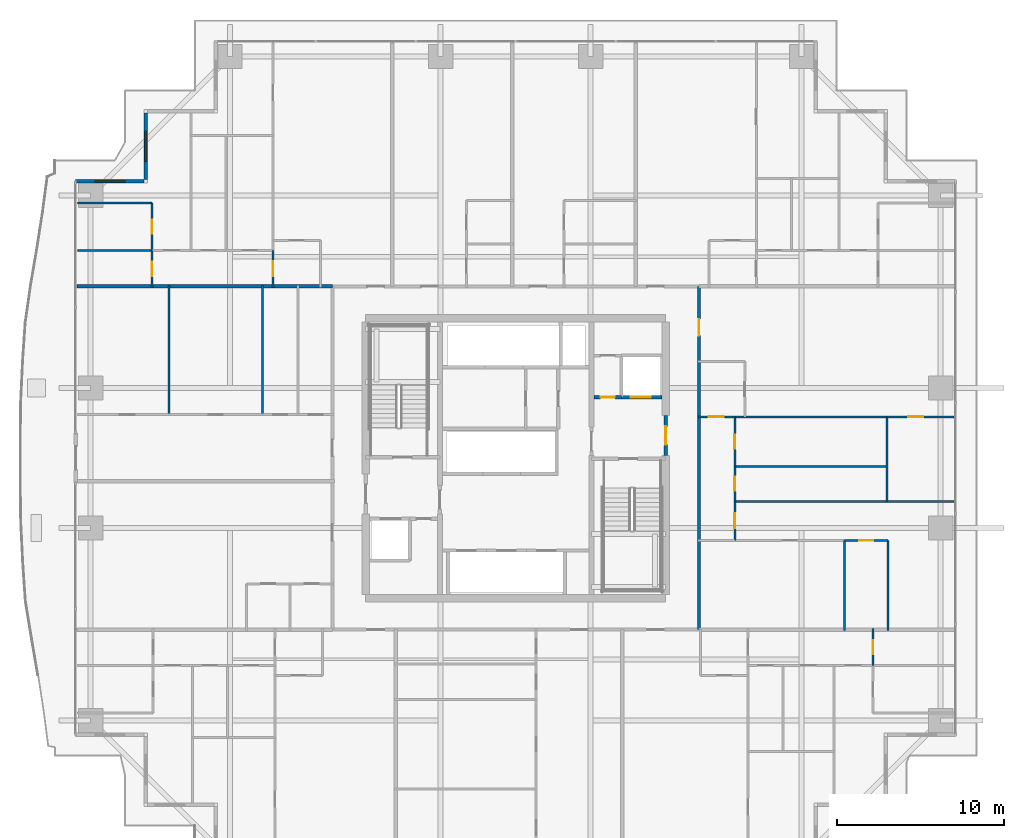
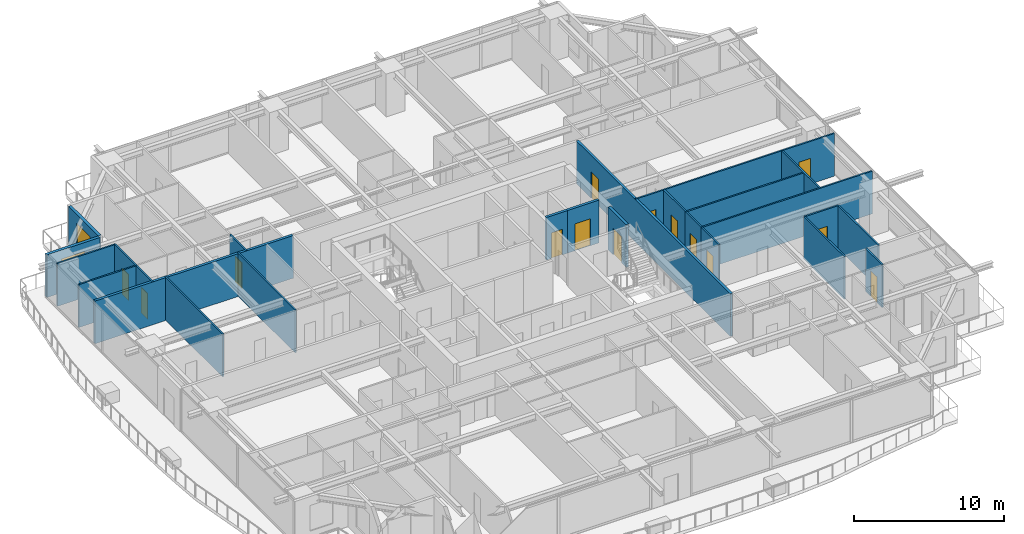
# One storey, part 30 of 41: 27 walls, 14 doors, 2 windows, 16 openings.
"""IFC4 building model written with IfcOpenShell, lengths in metres."""

from ifc_helpers import new_model, si_unit, direction, frame, frame_2d, origin, place, context, subcontext, project, spatial, rectangle, extrude, source, transform, mapped, material, layer, layer_set, type_object, element, fill, save


model = new_model("IFC4")

# Units and contexts
model_context = context("Model", 3, precision=1e-05, world=origin(), true_north=direction((0.0, 1.0)))
body_context = subcontext(model_context, "Body", "Model", "MODEL_VIEW")
ifc_project = project(units=[si_unit("LENGTHUNIT", "METRE"), si_unit("AREAUNIT", "SQUARE_METRE"), si_unit("VOLUMEUNIT", "CUBIC_METRE"), si_unit("PLANEANGLEUNIT", "RADIAN"), si_unit("MASSUNIT", "GRAM", prefix="KILO")], contexts=[model_context])

# Site, building, storey
site_placement = place(None, origin())
site = spatial("IfcSite", under=ifc_project, at=site_placement, CompositionType="ELEMENT")
building_placement = place(site_placement, origin())
building = spatial("IfcBuilding", under=site, at=building_placement, Name="Serunith Strait Residences", CompositionType="ELEMENT")
storey_placement = place(building_placement, frame((0.0, 0.0, 45.449951171875)))
storey = spatial("IfcBuildingStorey", under=building, at=storey_placement, Name="L10", CompositionType="ELEMENT", Elevation=45.449951171875)

# Wall, opening, window
ifc_material_1 = material(Name="Pale-Champagne Aluminium Insulated Panel", Category="aluminium")
ifc_layer_1 = layer(ifc_material_1, 0.219970703125, Name="Pale-Champagne Aluminium Insulated Panel")
ifc_layer_set_1 = layer_set([ifc_layer_1], Name="Pale-Champagne Aluminium Insulated Panel")
wall_type_1 = type_object("IfcWallType", Name="EW-ALUM-220", PredefinedType="ELEMENTEDWALL", material=ifc_layer_set_1)
wall_1_placement = place(storey_placement, frame((10.199951171875, 45.889892578125, 0.0), z_axis=(0.0, 0.0, 1.0), x_axis=(0.0, -1.0, 0.0)))
wall_1 = element("IfcWall", 1, at=wall_1_placement, inside=storey, type_object=wall_type_1, Name="L10 Girih Serrated Corner Wall 14", PredefinedType="ELEMENTEDWALL", context=body_context, shape_type="SweptSolid", body=[
    extrude(rectangle(XDim=3.97998046875, YDim=0.219970703125, at=frame_2d((1.989990234375, 0.0))), origin(), (0.0, 0.0, 1.0), 3.47509765625),
])
opening_1_placement = place(wall_1_placement, frame((1.090087890625, 0.0, 0.64990234375)))
opening_1 = element("IfcOpeningElement", 2, at=opening_1_placement, cuts=wall_1, Name="Opening W-01", PredefinedType="OPENING", context=body_context, shape_type="SweptSolid", body=[
    extrude(rectangle(XDim=1.800048828125, YDim=2.10009765625, at=frame_2d((0.89990234375, 1.050048828125))), frame((0.0, 0.1201171875, 0.0), z_axis=(0.0, -1.0, 0.0), x_axis=(1.0, 0.0, 0.0)), (0.0, 0.0, 1.0), 0.239990234375),
])
ifc_material_2 = material(Name="Ceramic-Fritted Operable Aluminium Window Glass", Category="aluminium")
window_type = type_object("IfcWindowType", Name="WIN-C1", PartitioningType="DOUBLE_PANEL_VERTICAL", PredefinedType="WINDOW", material=ifc_material_2)
shared_shape_1 = source(origin(), body_context, "Body", "SweptSolid", [
    extrude(rectangle(XDim=1.800048828125, YDim=2.10009765625, at=frame_2d((0.89990234375, 1.050048828125))), frame((0.0, 0.030029296875, 0.0), z_axis=(0.0, -1.0, 0.0), x_axis=(1.0, 0.0, 0.0)), (0.0, 0.0, 1.0), 0.06005859375),
])
window_1_placement = place(opening_1_placement, origin())
window_1 = element("IfcWindow", 3, at=window_1_placement, inside=storey, type_object=window_type, Name="L10 Corner Operable Fritted Window 14", OverallHeight=2.10009765625, OverallWidth=1.800048828125, PartitioningType="SINGLE_PANEL", PredefinedType="WINDOW", context=body_context, shape_type="MappedRepresentation", body=[
    mapped(shared_shape_1, transform((0.0, 0.0, 0.0), scale=1.0)),
])
fill(opening_1, window_1)

wall_2_placement = place(storey_placement, frame((10.090087890625, 41.800048828125, 0.0), z_axis=(0.0, 0.0, 1.0), x_axis=(-1.0, 0.0, 0.0)))
wall_2 = element("IfcWall", 4, at=wall_2_placement, inside=storey, type_object=wall_type_1, Name="L10 Girih Serrated Corner Wall 15", PredefinedType="ELEMENTEDWALL", context=body_context, shape_type="SweptSolid", body=[
    extrude(rectangle(XDim=4.090087890625, YDim=0.219970703125, at=frame_2d((2.044921875, 0.0))), origin(), (0.0, 0.0, 1.0), 3.47509765625),
])
opening_2_placement = place(wall_2_placement, frame((1.14501953125, 0.0, 0.64990234375)))
opening_2 = element("IfcOpeningElement", 5, at=opening_2_placement, cuts=wall_2, Name="Opening W-01", PredefinedType="OPENING", context=body_context, shape_type="SweptSolid", body=[
    extrude(rectangle(XDim=1.800048828125, YDim=2.10009765625, at=frame_2d((0.89990234375, 1.050048828125))), frame((0.0, 0.1201171875, 0.0), z_axis=(0.0, -1.0, 0.0), x_axis=(1.0, 0.0, 0.0)), (0.0, 0.0, 1.0), 0.239990234375),
])
window_2_placement = place(opening_2_placement, origin())
window_2 = element("IfcWindow", 6, at=window_2_placement, inside=storey, type_object=window_type, Name="L10 Corner Operable Fritted Window 15", OverallHeight=2.10009765625, OverallWidth=1.800048828125, PartitioningType="SINGLE_PANEL", PredefinedType="WINDOW", context=body_context, shape_type="MappedRepresentation", body=[
    mapped(shared_shape_1, transform((0.0, 0.0, 0.0), scale=1.0)),
])
fill(opening_2, window_2)

# Wall, opening, door
ifc_material_3 = material(Name="Fire-rated acoustic gypsum partition")
ifc_layer_2 = layer(ifc_material_3, 0.179931640625, Name="Fire-rated acoustic gypsum partition")
ifc_layer_set_2 = layer_set([ifc_layer_2], Name="Fire-rated acoustic gypsum partition")
wall_type_2 = type_object("IfcWallType", Name="IW-CORR-180", PredefinedType="PARTITIONING", material=ifc_layer_set_2)
wall_3_placement = place(storey_placement, frame((43.39990234375, 14.89990234375, 0.0), z_axis=(0.0, 0.0, 1.0), x_axis=(0.0, 1.0, 0.0)))
wall_3 = element("IfcWall", 7, at=wall_3_placement, inside=storey, type_object=wall_type_2, Name="L10 Partition Wall 028", PredefinedType="PARTITIONING", context=body_context, shape_type="SweptSolid", body=[
    extrude(rectangle(XDim=20.60009765625, YDim=0.179931640625, at=frame_2d((10.300048828125, 0.0))), origin(), (0.0, 0.0, 1.0), 3.489990234375),
])
opening_3_placement = place(wall_3_placement, frame((17.639892578125, 0.0, 0.0)))
opening_3 = element("IfcOpeningElement", 8, at=opening_3_placement, cuts=wall_3, Name="Opening D-APT1000", PredefinedType="OPENING", context=body_context, shape_type="SweptSolid", body=[
    extrude(rectangle(XDim=1.0, YDim=2.14990234375, at=frame_2d((0.5, 1.074951171875))), frame((0.0, 0.10009765625, 0.0), z_axis=(0.0, -1.0, 0.0), x_axis=(1.0, 0.0, 0.0)), (0.0, 0.0, 1.0), 0.199951171875),
])
ifc_material_4 = material(Name="Solid timber engineered fire door", Category="wood")
door_type_1 = type_object("IfcDoorType", Name="ID-APT-1000", OperationType="NOTDEFINED", PredefinedType="DOOR", material=ifc_material_4)
shared_shape_2 = source(origin(), body_context, "Body", "SweptSolid", [
    extrude(rectangle(XDim=1.0, YDim=2.14990234375, at=frame_2d((0.5, 1.074951171875))), frame((0.0, 0.02490234375, 0.0), z_axis=(0.0, -1.0, 0.0), x_axis=(1.0, 0.0, 0.0)), (0.0, 0.0, 1.0), 0.050048828125),
])
door_1_placement = place(opening_3_placement, origin())
door_1 = element("IfcDoor", 9, at=door_1_placement, inside=storey, type_object=door_type_1, Name="L10 Unit 10 Entrance Door", OperationType="SINGLE_SWING_LEFT", OverallHeight=2.14990234375, OverallWidth=1.0, PredefinedType="DOOR", context=body_context, shape_type="MappedRepresentation", body=[
    mapped(shared_shape_2, transform((0.0, 0.0, 0.0), scale=1.0)),
])
fill(opening_3, door_1)

ifc_material_5 = material(Name="Lightweight steel-stud gypsum partition", Category="steel")
ifc_layer_3 = layer(ifc_material_5, 0.1201171875, Name="Lightweight steel-stud gypsum partition")
ifc_layer_set_3 = layer_set([ifc_layer_3], Name="Lightweight steel-stud gypsum partition")
wall_type_3 = type_object("IfcWallType", Name="IW-PART-120", PredefinedType="PARTITIONING", material=ifc_layer_set_3)
wall_4_placement = place(storey_placement, frame((53.840087890625, 12.751953125, 0.0), z_axis=(0.0, 0.0, 1.0), x_axis=(0.0, 1.0, 0.0)))
wall_4 = element("IfcWall", 10, at=wall_4_placement, inside=storey, type_object=wall_type_3, Name="L10 Partition Wall 065", PredefinedType="PARTITIONING", context=body_context, shape_type="SweptSolid", body=[
    extrude(rectangle(XDim=2.2080078125, YDim=0.1201171875, at=frame_2d((1.10400390625, 0.0))), origin(), (0.0, 0.0, 1.0), 3.489990234375),
])
opening_4_placement = place(wall_4_placement, frame((0.678955078125, 0.0, 0.0)))
opening_4 = element("IfcOpeningElement", 11, at=opening_4_placement, cuts=wall_4, Name="Opening D-RM850", PredefinedType="OPENING", context=body_context, shape_type="SweptSolid", body=[
    extrude(rectangle(XDim=0.85009765625, YDim=2.10009765625, at=frame_2d((0.425048828125, 1.050048828125))), frame((0.0, 0.070068359375, 0.0), z_axis=(0.0, -1.0, 0.0), x_axis=(1.0, 0.0, 0.0)), (0.0, 0.0, 1.0), 0.14013671875),
])
ifc_material_6 = material(Name="Engineered timber flush study and kitchen door", Category="wood")
door_type_2 = type_object("IfcDoorType", Name="ID-ROOM-850", OperationType="NOTDEFINED", PredefinedType="DOOR", material=ifc_material_6)
shared_shape_3 = source(origin(), body_context, "Body", "SweptSolid", [
    extrude(rectangle(XDim=0.85009765625, YDim=2.10009765625, at=frame_2d((0.425048828125, 1.050048828125))), frame((0.0, 0.02490234375, 0.0), z_axis=(0.0, -1.0, 0.0), x_axis=(1.0, 0.0, 0.0)), (0.0, 0.0, 1.0), 0.050048828125),
])
door_2_placement = place(opening_4_placement, origin())
door_2 = element("IfcDoor", 12, at=door_2_placement, inside=storey, type_object=door_type_2, Name="L10 Wardrobe E 1003 Door", OperationType="SINGLE_SWING_LEFT", OverallHeight=2.10009765625, OverallWidth=0.85009765625, PredefinedType="DOOR", context=body_context, shape_type="MappedRepresentation", body=[
    mapped(shared_shape_3, transform((0.0, 0.0, 0.0), scale=1.0)),
])
fill(opening_4, door_2)

wall_5_placement = place(storey_placement, frame((17.840087890625, 37.64990234375, 0.0), z_axis=(0.0, 0.0, 1.0), x_axis=(0.0, -1.0, 0.0)))
wall_5 = element("IfcWall", 13, at=wall_5_placement, inside=storey, type_object=wall_type_3, Name="L10 Partition Wall 068", PredefinedType="PARTITIONING", context=body_context, shape_type="SweptSolid", body=[
    extrude(rectangle(XDim=2.2099609375, YDim=0.1201171875, at=frame_2d((1.10498046875, 0.0))), origin(), (0.0, 0.0, 1.0), 3.489990234375),
])
opening_5_placement = place(wall_5_placement, frame((0.655029296875, 0.0, 0.0)))
opening_5 = element("IfcOpeningElement", 14, at=opening_5_placement, cuts=wall_5, Name="Opening D-RM900", PredefinedType="OPENING", context=body_context, shape_type="SweptSolid", body=[
    extrude(rectangle(XDim=0.89990234375, YDim=2.10009765625, at=frame_2d((0.449951171875, 1.050048828125))), frame((0.0, 0.070068359375, 0.0), z_axis=(0.0, -1.0, 0.0), x_axis=(1.0, 0.0, 0.0)), (0.0, 0.0, 1.0), 0.14013671875),
])
ifc_material_7 = material(Name="Engineered timber flush bedroom door", Category="wood")
door_type_3 = type_object("IfcDoorType", Name="ID-ROOM-900", OperationType="NOTDEFINED", PredefinedType="DOOR", material=ifc_material_7)
shared_shape_4 = source(origin(), body_context, "Body", "SweptSolid", [
    extrude(rectangle(XDim=0.89990234375, YDim=2.10009765625, at=frame_2d((0.449951171875, 1.050048828125))), frame((0.0, 0.02490234375, 0.0), z_axis=(0.0, -1.0, 0.0), x_axis=(1.0, 0.0, 0.0)), (0.0, 0.0, 1.0), 0.050048828125),
])
door_3_placement = place(opening_5_placement, origin())
door_3 = element("IfcDoor", 15, at=door_3_placement, inside=storey, type_object=door_type_3, Name="L10 Hall W 1004 Door", OperationType="SINGLE_SWING_LEFT", OverallHeight=2.10009765625, OverallWidth=0.89990234375, PredefinedType="DOOR", context=body_context, shape_type="MappedRepresentation", body=[
    mapped(shared_shape_4, transform((0.0, 0.0, 0.0), scale=1.0)),
])
fill(opening_5, door_3)

# Walls
wall_6_placement = place(storey_placement, frame((6.094970703125, 40.506103515625, 0.0), z_axis=(0.0, 0.0, 1.0), x_axis=(1.0, 0.0, 0.0)))
element("IfcWall", 16, at=wall_6_placement, inside=storey, type_object=wall_type_3, Name="L10 Partition Wall 077", PredefinedType="PARTITIONING", context=body_context, shape_type="SweptSolid", body=[
    extrude(rectangle(XDim=4.485107421875, YDim=0.1201171875, at=frame_2d((2.24267578125, 0.0))), origin(), (0.0, 0.0, 1.0), 3.489990234375),
])
wall_7_placement = place(storey_placement, frame((6.094970703125, 37.64990234375, 0.0), z_axis=(0.0, 0.0, 1.0), x_axis=(1.0, 0.0, 0.0)))
element("IfcWall", 17, at=wall_7_placement, inside=storey, type_object=wall_type_3, Name="L10 Partition Wall 078", PredefinedType="PARTITIONING", context=body_context, shape_type="SweptSolid", body=[
    extrude(rectangle(XDim=4.48291015625, YDim=0.1201171875, at=frame_2d((2.241455078125, 0.0))), origin(), (0.0, 0.0, 1.0), 3.489990234375),
])

# Wall, opening, door
wall_8_placement = place(storey_placement, frame((10.580078125, 40.506103515625, 0.0), z_axis=(0.0, 0.0, 1.0), x_axis=(0.0, -1.0, 0.0)))
wall_8 = element("IfcWall", 18, at=wall_8_placement, inside=storey, type_object=wall_type_3, Name="L10 Partition Wall 079", PredefinedType="PARTITIONING", context=body_context, shape_type="SweptSolid", body=[
    extrude(rectangle(XDim=2.856201171875, YDim=0.1201171875, at=frame_2d((1.42822265625, 0.0))), origin(), (0.0, 0.0, 1.0), 3.489990234375),
])
opening_6_placement = place(wall_8_placement, frame((1.0029296875, 0.0, 0.0)))
opening_6 = element("IfcOpeningElement", 19, at=opening_6_placement, cuts=wall_8, Name="Opening D-BTH850", PredefinedType="OPENING", context=body_context, shape_type="SweptSolid", body=[
    extrude(rectangle(XDim=0.85009765625, YDim=2.10009765625, at=frame_2d((0.425048828125, 1.050048828125))), frame((0.0, 0.070068359375, 0.0), z_axis=(0.0, -1.0, 0.0), x_axis=(1.0, 0.0, 0.0)), (0.0, 0.0, 1.0), 0.14013671875),
])
ifc_material_8 = material(Name="Moisture-resistant timber bathroom door", Category="wood")
door_type_4 = type_object("IfcDoorType", Name="ID-BATH-850", OperationType="NOTDEFINED", PredefinedType="DOOR", material=ifc_material_8)
door_4_placement = place(opening_6_placement, origin())
door_4 = element("IfcDoor", 20, at=door_4_placement, inside=storey, type_object=door_type_4, Name="L10 En-suite Bathroom W 1004 Door", OperationType="SINGLE_SWING_RIGHT", OverallHeight=2.10009765625, OverallWidth=0.85009765625, PredefinedType="DOOR", context=body_context, shape_type="MappedRepresentation", body=[
    mapped(shared_shape_3, transform((0.0, 0.0, 0.0), scale=1.0)),
])
fill(opening_6, door_4)

wall_9_placement = place(storey_placement, frame((10.580078125, 37.64794921875, 0.0), z_axis=(0.0, 0.0, 1.0), x_axis=(0.0, -1.0, 0.0)))
wall_9 = element("IfcWall", 21, at=wall_9_placement, inside=storey, type_object=wall_type_3, Name="L10 Partition Wall 080", PredefinedType="PARTITIONING", context=body_context, shape_type="SweptSolid", body=[
    extrude(rectangle(XDim=2.2080078125, YDim=0.1201171875, at=frame_2d((1.10400390625, 0.0))), origin(), (0.0, 0.0, 1.0), 3.489990234375),
])
opening_7_placement = place(wall_9_placement, frame((0.678955078125, 0.0, 0.0)))
opening_7 = element("IfcOpeningElement", 22, at=opening_7_placement, cuts=wall_9, Name="Opening D-RM850", PredefinedType="OPENING", context=body_context, shape_type="SweptSolid", body=[
    extrude(rectangle(XDim=0.85009765625, YDim=2.10009765625, at=frame_2d((0.425048828125, 1.050048828125))), frame((0.0, 0.070068359375, 0.0), z_axis=(0.0, -1.0, 0.0), x_axis=(1.0, 0.0, 0.0)), (0.0, 0.0, 1.0), 0.14013671875),
])
door_5_placement = place(opening_7_placement, origin())
door_5 = element("IfcDoor", 23, at=door_5_placement, inside=storey, type_object=door_type_2, Name="L10 Wardrobe W 1004 Door", OperationType="SINGLE_SWING_LEFT", OverallHeight=2.10009765625, OverallWidth=0.85009765625, PredefinedType="DOOR", context=body_context, shape_type="MappedRepresentation", body=[
    mapped(shared_shape_3, transform((0.0, 0.0, 0.0), scale=1.0)),
])
fill(opening_7, door_5)

# Walls
for number, where, z_axis, x_axis, name in (
    (24, (11.60888671875, 27.800048828125, 0.0), (0.0, 0.0, 1.0), (0.0, 1.0, 0.0), "L10 Partition Wall 109"),
    (25, (17.20703125, 27.800048828125, 0.0), (0.0, 0.0, 1.0), (0.0, 1.0, 0.0), "L10 Partition Wall 110"),
):
    element("IfcWall", number, at=place(storey_placement, frame(where, z_axis=z_axis, x_axis=x_axis)), inside=storey, type_object=wall_type_3, Name=name, PredefinedType="PARTITIONING", context=body_context, shape_type="SweptSolid", body=[
        extrude(rectangle(XDim=7.760009765625, YDim=0.1201171875, at=frame_2d((3.8798828125, 0.0))), origin(), (0.0, 0.0, 1.0), 3.489990234375),
    ])

# Wall, opening, door
wall_10_placement = place(storey_placement, frame((45.550048828125, 27.669921875, 0.0), z_axis=(0.0, 0.0, 1.0), x_axis=(-1.0, 0.0, 0.0)))
wall_10 = element("IfcWall", 26, at=wall_10_placement, inside=storey, type_object=wall_type_3, Name="L10 Partition Wall 117", PredefinedType="PARTITIONING", context=body_context, shape_type="SweptSolid", body=[
    extrude(rectangle(XDim=2.2099609375, YDim=0.1201171875, at=frame_2d((1.10498046875, 0.0))), origin(), (0.0, 0.0, 1.0), 3.489990234375),
])
opening_8_placement = place(wall_10_placement, frame((0.655029296875, 0.0, 0.0)))
opening_8 = element("IfcOpeningElement", 27, at=opening_8_placement, cuts=wall_10, Name="Opening D-RM900", PredefinedType="OPENING", context=body_context, shape_type="SweptSolid", body=[
    extrude(rectangle(XDim=0.89990234375, YDim=2.10009765625, at=frame_2d((0.449951171875, 1.050048828125))), frame((0.0, 0.070068359375, 0.0), z_axis=(0.0, -1.0, 0.0), x_axis=(1.0, 0.0, 0.0)), (0.0, 0.0, 1.0), 0.14013671875),
])
door_6_placement = place(opening_8_placement, origin())
door_6 = element("IfcDoor", 28, at=door_6_placement, inside=storey, type_object=door_type_3, Name="L10 Hall W 1010 Door", OperationType="SINGLE_SWING_LEFT", OverallHeight=2.10009765625, OverallWidth=0.89990234375, PredefinedType="DOOR", context=body_context, shape_type="MappedRepresentation", body=[
    mapped(shared_shape_4, transform((0.0, 0.0, 0.0), scale=1.0)),
])
fill(opening_8, door_6)

wall_11_placement = place(storey_placement, frame((58.705078125, 27.669921875, 0.0), z_axis=(0.0, 0.0, 1.0), x_axis=(-1.0, 0.0, 0.0)))
wall_11 = element("IfcWall", 29, at=wall_11_placement, inside=storey, type_object=wall_type_3, Name="L10 Partition Wall 118", PredefinedType="PARTITIONING", context=body_context, shape_type="SweptSolid", body=[
    extrude(rectangle(XDim=4.024169921875, YDim=0.1201171875, at=frame_2d((2.01220703125, 0.0))), origin(), (0.0, 0.0, 1.0), 3.489990234375),
])
opening_9_placement = place(wall_11_placement, frame((1.85791015625, 0.0, 0.0)))
opening_9 = element("IfcOpeningElement", 30, at=opening_9_placement, cuts=wall_11, Name="Opening D-RM900", PredefinedType="OPENING", context=body_context, shape_type="SweptSolid", body=[
    extrude(rectangle(XDim=0.89990234375, YDim=2.10009765625, at=frame_2d((0.449951171875, 1.050048828125))), frame((0.0, 0.070068359375, 0.0), z_axis=(0.0, -1.0, 0.0), x_axis=(1.0, 0.0, 0.0)), (0.0, 0.0, 1.0), 0.14013671875),
])
door_7_placement = place(opening_9_placement, origin())
door_7 = element("IfcDoor", 31, at=door_7_placement, inside=storey, type_object=door_type_3, Name="L10 Study 1 1010 Door", OperationType="SINGLE_SWING_RIGHT", OverallHeight=2.10009765625, OverallWidth=0.89990234375, PredefinedType="DOOR", context=body_context, shape_type="MappedRepresentation", body=[
    mapped(shared_shape_4, transform((0.0, 0.0, 0.0), scale=1.0)),
])
fill(opening_9, door_7)

# Walls
wall_12_placement = place(storey_placement, frame((54.678955078125, 27.669921875, 0.0), z_axis=(0.0, 0.0, 1.0), x_axis=(-1.0, 0.0, 0.0)))
element("IfcWall", 32, at=wall_12_placement, inside=storey, type_object=wall_type_3, Name="L10 Partition Wall 119", PredefinedType="PARTITIONING", context=body_context, shape_type="SweptSolid", body=[
    extrude(rectangle(XDim=9.126953125, YDim=0.1201171875, at=frame_2d((4.5634765625, 0.0))), origin(), (0.0, 0.0, 1.0), 3.489990234375),
])
wall_13_placement = place(storey_placement, frame((54.680908203125, 22.60009765625, 0.0), z_axis=(0.0, 0.0, 1.0), x_axis=(0.0, 1.0, 0.0)))
element("IfcWall", 33, at=wall_13_placement, inside=storey, type_object=wall_type_3, Name="L10 Partition Wall 120", PredefinedType="PARTITIONING", context=body_context, shape_type="SweptSolid", body=[
    extrude(rectangle(XDim=5.06982421875, YDim=0.1201171875, at=frame_2d((2.534912109375, 0.0))), origin(), (0.0, 0.0, 1.0), 3.489990234375),
])
wall_14_placement = place(storey_placement, frame((58.705078125, 22.60009765625, 0.0), z_axis=(0.0, 0.0, 1.0), x_axis=(-1.0, 0.0, 0.0)))
element("IfcWall", 34, at=wall_14_placement, inside=storey, type_object=wall_type_3, Name="L10 Partition Wall 121", PredefinedType="PARTITIONING", context=body_context, shape_type="SweptSolid", body=[
    extrude(rectangle(XDim=13.155029296875, YDim=0.1201171875, at=frame_2d((6.57763671875, 0.0))), origin(), (0.0, 0.0, 1.0), 3.489990234375),
])
wall_15_placement = place(storey_placement, frame((54.680908203125, 24.699951171875, 0.0), z_axis=(0.0, 0.0, 1.0), x_axis=(-1.0, 0.0, 0.0)))
element("IfcWall", 35, at=wall_15_placement, inside=storey, type_object=wall_type_3, Name="L10 Partition Wall 122", PredefinedType="PARTITIONING", context=body_context, shape_type="SweptSolid", body=[
    extrude(rectangle(XDim=9.130859375, YDim=0.1201171875, at=frame_2d((4.5654296875, 0.0))), origin(), (0.0, 0.0, 1.0), 3.489990234375),
])

# Wall, opening, door
wall_16_placement = place(storey_placement, frame((45.550048828125, 22.60009765625, 0.0), z_axis=(0.0, 0.0, 1.0), x_axis=(0.0, 1.0, 0.0)))
wall_16 = element("IfcWall", 36, at=wall_16_placement, inside=storey, type_object=wall_type_3, Name="L10 Partition Wall 123", PredefinedType="PARTITIONING", context=body_context, shape_type="SweptSolid", body=[
    extrude(rectangle(XDim=2.099853515625, YDim=0.1201171875, at=frame_2d((1.0498046875, 0.0))), origin(), (0.0, 0.0, 1.0), 3.489990234375),
])
opening_10_placement = place(wall_16_placement, frame((0.625, 0.0, 0.0)))
opening_10 = element("IfcOpeningElement", 37, at=opening_10_placement, cuts=wall_16, Name="Opening D-BTH850", PredefinedType="OPENING", context=body_context, shape_type="SweptSolid", body=[
    extrude(rectangle(XDim=0.85009765625, YDim=2.10009765625, at=frame_2d((0.425048828125, 1.050048828125))), frame((0.0, 0.070068359375, 0.0), z_axis=(0.0, -1.0, 0.0), x_axis=(1.0, 0.0, 0.0)), (0.0, 0.0, 1.0), 0.14013671875),
])
door_8_placement = place(opening_10_placement, origin())
door_8 = element("IfcDoor", 38, at=door_8_placement, inside=storey, type_object=door_type_4, Name="L10 Bathroom 1010 Door", OperationType="SINGLE_SWING_LEFT", OverallHeight=2.10009765625, OverallWidth=0.85009765625, PredefinedType="DOOR", context=body_context, shape_type="MappedRepresentation", body=[
    mapped(shared_shape_3, transform((0.0, 0.0, 0.0), scale=1.0)),
])
fill(opening_10, door_8)

wall_17_placement = place(storey_placement, frame((45.550048828125, 24.701904296875, 0.0), z_axis=(0.0, 0.0, 1.0), x_axis=(0.0, 1.0, 0.0)))
wall_17 = element("IfcWall", 39, at=wall_17_placement, inside=storey, type_object=wall_type_3, Name="L10 Partition Wall 124", PredefinedType="PARTITIONING", context=body_context, shape_type="SweptSolid", body=[
    extrude(rectangle(XDim=2.968017578125, YDim=0.1201171875, at=frame_2d((1.48388671875, 0.0))), origin(), (0.0, 0.0, 1.0), 3.489990234375),
])
opening_11_placement = place(wall_17_placement, frame((1.05908203125, 0.0, 0.0)))
opening_11 = element("IfcOpeningElement", 40, at=opening_11_placement, cuts=wall_17, Name="Opening D-RM850", PredefinedType="OPENING", context=body_context, shape_type="SweptSolid", body=[
    extrude(rectangle(XDim=0.85009765625, YDim=2.10009765625, at=frame_2d((0.425048828125, 1.050048828125))), frame((0.0, 0.070068359375, 0.0), z_axis=(0.0, -1.0, 0.0), x_axis=(1.0, 0.0, 0.0)), (0.0, 0.0, 1.0), 0.14013671875),
])
door_9_placement = place(opening_11_placement, origin())
door_9 = element("IfcDoor", 41, at=door_9_placement, inside=storey, type_object=door_type_2, Name="L10 Study 1010 Door", OperationType="SINGLE_SWING_RIGHT", OverallHeight=2.10009765625, OverallWidth=0.85009765625, PredefinedType="DOOR", context=body_context, shape_type="MappedRepresentation", body=[
    mapped(shared_shape_3, transform((0.0, 0.0, 0.0), scale=1.0)),
])
fill(opening_11, door_9)

wall_18_placement = place(storey_placement, frame((45.550048828125, 20.25, 0.0), z_axis=(0.0, 0.0, 1.0), x_axis=(0.0, 1.0, 0.0)))
wall_18 = element("IfcWall", 42, at=wall_18_placement, inside=storey, type_object=wall_type_3, Name="L10 Partition Wall 125", PredefinedType="PARTITIONING", context=body_context, shape_type="SweptSolid", body=[
    extrude(rectangle(XDim=2.347900390625, YDim=0.1201171875, at=frame_2d((1.173828125, 0.0))), origin(), (0.0, 0.0, 1.0), 3.489990234375),
])
opening_12_placement = place(wall_18_placement, frame((0.72412109375, 0.0, 0.0)))
opening_12 = element("IfcOpeningElement", 43, at=opening_12_placement, cuts=wall_18, Name="Opening D-RM900", PredefinedType="OPENING", context=body_context, shape_type="SweptSolid", body=[
    extrude(rectangle(XDim=0.89990234375, YDim=2.10009765625, at=frame_2d((0.449951171875, 1.050048828125))), frame((0.0, 0.070068359375, 0.0), z_axis=(0.0, -1.0, 0.0), x_axis=(1.0, 0.0, 0.0)), (0.0, 0.0, 1.0), 0.14013671875),
])
door_10_placement = place(opening_12_placement, origin())
door_10 = element("IfcDoor", 44, at=door_10_placement, inside=storey, type_object=door_type_3, Name="L10 Master Bedroom W 1010 Door", OperationType="SINGLE_SWING_LEFT", OverallHeight=2.10009765625, OverallWidth=0.89990234375, PredefinedType="DOOR", context=body_context, shape_type="MappedRepresentation", body=[
    mapped(shared_shape_4, transform((0.0, 0.0, 0.0), scale=1.0)),
])
fill(opening_12, door_10)

# Walls
for number, where, z_axis, x_axis, name in (
    (45, (54.75, 14.840087890625, 0.0), (0.0, 0.0, 1.0), (0.0, 1.0, 0.0), "L10 Partition Wall 126"),
    (46, (52.133056640625, 14.840087890625, 0.0), (0.0, 0.0, 1.0), (0.0, 1.0, 0.0), "L10 Partition Wall 127"),
):
    element("IfcWall", number, at=place(storey_placement, frame(where, z_axis=z_axis, x_axis=x_axis)), inside=storey, type_object=wall_type_3, Name=name, PredefinedType="PARTITIONING", context=body_context, shape_type="SweptSolid", body=[
        extrude(rectangle(XDim=5.409912109375, YDim=0.1201171875, at=frame_2d((2.705078125, 0.0))), origin(), (0.0, 0.0, 1.0), 3.489990234375),
    ])

# Wall, opening, door
wall_19_placement = place(storey_placement, frame((54.75, 20.25, 0.0), z_axis=(0.0, 0.0, 1.0), x_axis=(-1.0, 0.0, 0.0)))
wall_19 = element("IfcWall", 47, at=wall_19_placement, inside=storey, type_object=wall_type_3, Name="L10 Partition Wall 128", PredefinedType="PARTITIONING", context=body_context, shape_type="SweptSolid", body=[
    extrude(rectangle(XDim=2.616943359375, YDim=0.1201171875, at=frame_2d((1.30859375, 0.0))), origin(), (0.0, 0.0, 1.0), 3.489990234375),
])
opening_13_placement = place(wall_19_placement, frame((0.883056640625, 0.0, 0.0)))
opening_13 = element("IfcOpeningElement", 48, at=opening_13_placement, cuts=wall_19, Name="Opening D-BTH850", PredefinedType="OPENING", context=body_context, shape_type="SweptSolid", body=[
    extrude(rectangle(XDim=0.85009765625, YDim=2.10009765625, at=frame_2d((0.425048828125, 1.050048828125))), frame((0.0, 0.070068359375, 0.0), z_axis=(0.0, -1.0, 0.0), x_axis=(1.0, 0.0, 0.0)), (0.0, 0.0, 1.0), 0.14013671875),
])
door_11_placement = place(opening_13_placement, origin())
door_11 = element("IfcDoor", 49, at=door_11_placement, inside=storey, type_object=door_type_4, Name="L10 En-suite Bathroom W 1010 Door", OperationType="SINGLE_SWING_RIGHT", OverallHeight=2.10009765625, OverallWidth=0.85009765625, PredefinedType="DOOR", context=body_context, shape_type="MappedRepresentation", body=[
    mapped(shared_shape_3, transform((0.0, 0.0, 0.0), scale=1.0)),
])
fill(opening_13, door_11)

# Wall
ifc_material_9 = material(Name="Twin-stud acoustic gypsum board partition")
ifc_layer_4 = layer(ifc_material_9, 0.199951171875, Name="Twin-stud acoustic gypsum board partition")
ifc_layer_set_4 = layer_set([ifc_layer_4], Name="Twin-stud acoustic gypsum board partition")
wall_type_4 = type_object("IfcWallType", Name="IW-PARTY-200", PredefinedType="PARTITIONING", material=ifc_layer_set_4)
wall_20_placement = place(storey_placement, frame((6.08203125, 35.5, 0.0), z_axis=(0.0, 0.0, 1.0), x_axis=(1.0, 0.0, 0.0)))
element("IfcWall", 50, at=wall_20_placement, inside=storey, type_object=wall_type_4, Name="L10 Partition Wall 023", PredefinedType="PARTITIONING", context=body_context, shape_type="SweptSolid", body=[
    extrude(rectangle(XDim=15.31787109375, YDim=0.199951171875, at=frame_2d((7.658935546875, 0.0))), origin(), (0.0, 0.0, 1.0), 3.489990234375),
])

# Wall, opening, door
ifc_material_10 = material(Name="Autoclaved aerated concrete blockwork", Category="masonry")
ifc_layer_5 = layer(ifc_material_10, 0.199951171875, Name="Autoclaved aerated concrete blockwork")
ifc_layer_set_5 = layer_set([ifc_layer_5], Name="Autoclaved aerated concrete blockwork")
wall_type_5 = type_object("IfcWallType", Name="IW-SHAFT-200", PredefinedType="STANDARD", material=ifc_layer_set_5)
wall_21_placement = place(storey_placement, frame((38.75, 28.85009765625, 0.0), z_axis=(0.0, 0.0, 1.0), x_axis=(1.0, 0.0, 0.0)))
wall_21 = element("IfcWall", 51, at=wall_21_placement, inside=storey, type_object=wall_type_5, Name="L10 FL-2 South Shaft Wall", PredefinedType="STANDARD", context=body_context, shape_type="SweptSolid", body=[
    extrude(rectangle(XDim=2.425048828125, YDim=0.199951171875, at=frame_2d((1.21240234375, 0.0))), origin(), (0.0, 0.0, 1.0), 3.489990234375),
])
opening_14_placement = place(wall_21_placement, frame((0.550048828125, 0.0, 0.0)))
opening_14 = element("IfcOpeningElement", 52, at=opening_14_placement, cuts=wall_21, Name="Opening LD-FF1200", PredefinedType="OPENING", context=body_context, shape_type="SweptSolid", body=[
    extrude(rectangle(XDim=1.199951171875, YDim=2.199951171875, at=frame_2d((0.60009765625, 1.10009765625))), frame((0.0, 0.10986328125, 0.0), z_axis=(0.0, -1.0, 0.0), x_axis=(1.0, 0.0, 0.0)), (0.0, 0.0, 1.0), 0.219970703125),
])
ifc_material_11 = material(Name="Brushed stainless steel landing door", Category="steel")
door_type_5 = type_object("IfcDoorType", Name="LD-FF-1200", OperationType="DOUBLE_DOOR_SLIDING", PredefinedType="DOOR", material=ifc_material_11)
shared_shape_5 = source(origin(), body_context, "Body", "SweptSolid", [
    extrude(rectangle(XDim=1.199951171875, YDim=2.199951171875, at=frame_2d((0.60009765625, 1.10009765625))), frame((0.0, 0.02490234375, 0.0), z_axis=(0.0, -1.0, 0.0), x_axis=(1.0, 0.0, 0.0)), (0.0, 0.0, 1.0), 0.050048828125),
])
door_12_placement = place(opening_14_placement, origin())
door_12 = element("IfcDoor", 53, at=door_12_placement, inside=storey, type_object=door_type_5, Name="L10 FL-2 Landing Door", OperationType="DOUBLE_DOOR_SLIDING", OverallHeight=2.199951171875, OverallWidth=1.199951171875, PredefinedType="DOOR", context=body_context, shape_type="MappedRepresentation", body=[
    mapped(shared_shape_5, transform((0.0, 0.0, 0.0), scale=1.0)),
])
fill(opening_14, door_12)

wall_22_placement = place(storey_placement, frame((37.10009765625, 28.85009765625, 0.0), z_axis=(0.0, 0.0, 1.0), x_axis=(1.0, 0.0, 0.0)))
wall_22 = element("IfcWall", 54, at=wall_22_placement, inside=storey, type_object=wall_type_5, Name="L10 Partition Wall 006", PredefinedType="STANDARD", context=body_context, shape_type="SweptSolid", body=[
    extrude(rectangle(XDim=1.64794921875, YDim=0.199951171875, at=frame_2d((0.823974609375, 0.0))), origin(), (0.0, 0.0, 1.0), 3.489990234375),
])
opening_15_placement = place(wall_22_placement, frame((0.39892578125, 0.0, 0.0)))
opening_15 = element("IfcOpeningElement", 55, at=opening_15_placement, cuts=wall_22, Name="Opening FD-850", PredefinedType="OPENING", context=body_context, shape_type="SweptSolid", body=[
    extrude(rectangle(XDim=0.85009765625, YDim=2.10009765625, at=frame_2d((0.425048828125, 1.050048828125))), frame((0.0, 0.10986328125, 0.0), z_axis=(0.0, -1.0, 0.0), x_axis=(1.0, 0.0, 0.0)), (0.0, 0.0, 1.0), 0.219970703125),
])
ifc_material_12 = material(Name="Powder-coated steel service closet door", Category="steel")
door_type_6 = type_object("IfcDoorType", Name="FD-BOH-850", OperationType="NOTDEFINED", PredefinedType="DOOR", material=ifc_material_12)
door_13_placement = place(opening_15_placement, origin())
door_13 = element("IfcDoor", 56, at=door_13_placement, inside=storey, type_object=door_type_6, Name="L10 North-East Core Service Door", OperationType="SINGLE_SWING_RIGHT", OverallHeight=2.10009765625, OverallWidth=0.85009765625, PredefinedType="DOOR", context=body_context, shape_type="MappedRepresentation", body=[
    mapped(shared_shape_3, transform((0.0, 0.0, 0.0), scale=1.0)),
])
fill(opening_15, door_13)

wall_23_placement = place(storey_placement, frame((41.39990234375, 25.35205078125, 0.0), z_axis=(0.0, 0.0, 1.0), x_axis=(0.0, 1.0, 0.0)))
wall_23 = element("IfcWall", 57, at=wall_23_placement, inside=storey, type_object=wall_type_5, Name="L10 Partition Wall 008", PredefinedType="STANDARD", context=body_context, shape_type="SweptSolid", body=[
    extrude(rectangle(XDim=2.39599609375, YDim=0.199951171875, at=frame_2d((1.197998046875, 0.0))), origin(), (0.0, 0.0, 1.0), 3.489990234375),
])
opening_16_placement = place(wall_23_placement, frame((0.64794921875, 0.0, 0.0)))
opening_16 = element("IfcOpeningElement", 58, at=opening_16_placement, cuts=wall_23, Name="Opening FD-FFL", PredefinedType="OPENING", context=body_context, shape_type="SweptSolid", body=[
    extrude(rectangle(XDim=1.10009765625, YDim=2.14990234375, at=frame_2d((0.550048828125, 1.074951171875))), frame((0.0, 0.10986328125, 0.0), z_axis=(0.0, -1.0, 0.0), x_axis=(1.0, 0.0, 0.0)), (0.0, 0.0, 1.0), 0.219970703125),
])
ifc_material_13 = material(Name="Glazed steel smoke-lobby fire door", Category="steel")
door_type_7 = type_object("IfcDoorType", Name="FD-FFL-1100", OperationType="NOTDEFINED", PredefinedType="DOOR", material=ifc_material_13)
shared_shape_6 = source(origin(), body_context, "Body", "SweptSolid", [
    extrude(rectangle(XDim=1.10009765625, YDim=2.14990234375, at=frame_2d((0.550048828125, 1.074951171875))), frame((0.0, 0.02490234375, 0.0), z_axis=(0.0, -1.0, 0.0), x_axis=(1.0, 0.0, 0.0)), (0.0, 0.0, 1.0), 0.050048828125),
])
door_14_placement = place(opening_16_placement, origin())
door_14 = element("IfcDoor", 59, at=door_14_placement, inside=storey, type_object=door_type_7, Name="L10 FFL-2 Corridor Fire Door", OperationType="SINGLE_SWING_RIGHT", OverallHeight=2.14990234375, OverallWidth=1.10009765625, PredefinedType="DOOR", context=body_context, shape_type="MappedRepresentation", body=[
    mapped(shared_shape_6, transform((0.0, 0.0, 0.0), scale=1.0)),
])
fill(opening_16, door_14)

save(model, "model.ifc")
